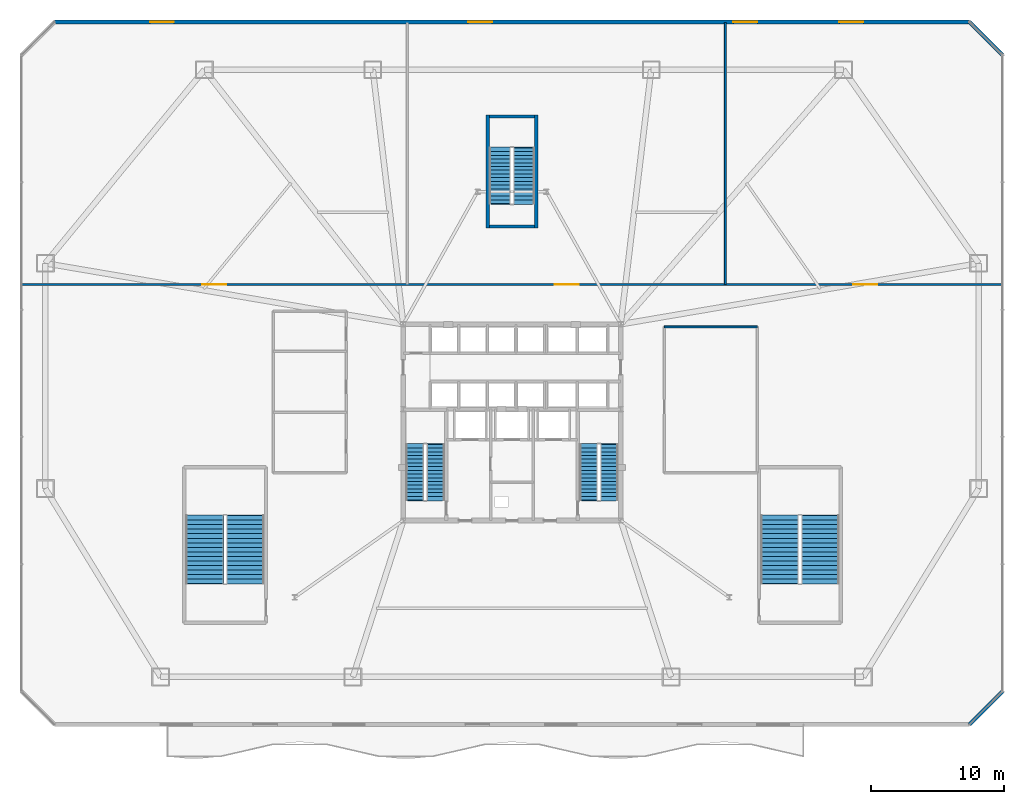
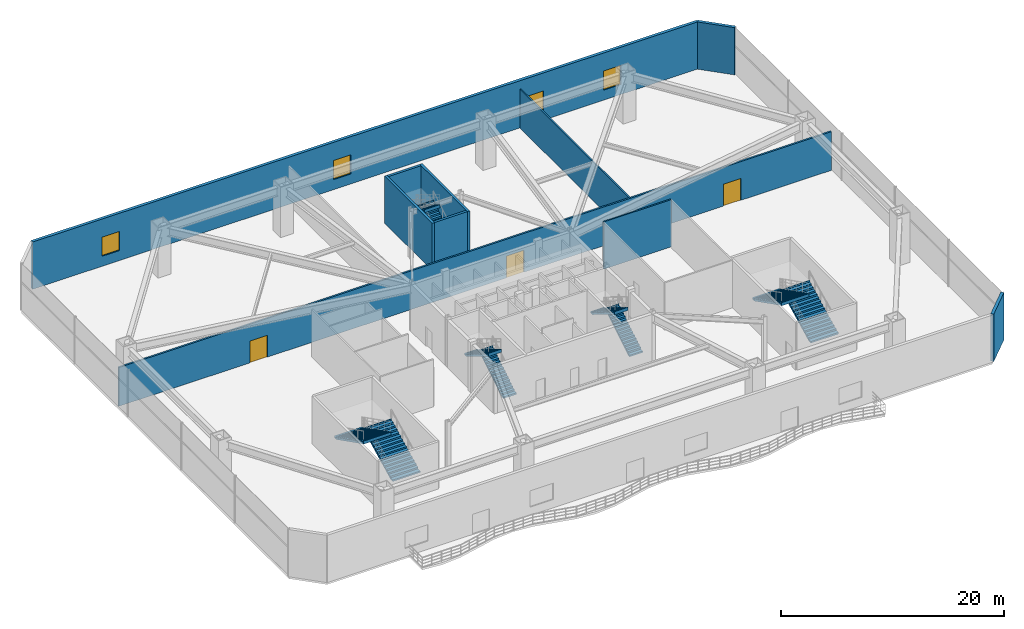
# One storey, part 15 of 20: 10 stair flights, 10 walls, 4 windows, 3 doors, 7 openings, 5 elements without a shape of their own.
"""IFC4 building model written with IfcOpenShell, lengths in metres."""

import ifcopenshell
import ifcopenshell.guid

model = None  # the IFC model being written
_history = None  # IfcOwnerHistory: only IFC2X3 demands one
_inside = {}  # id of a spatial element -> (the spatial element, [elements in it])
_under = {}  # id of a project, library or spatial element -> (it, [spatial elements below it])
_declared = {}  # id of a project -> (the project, [libraries it declares])
_typed = {}  # id of a type object -> (the type object, [elements of that type])
_made_of = {}  # id of a material, layer set ... -> (it, [elements and type objects made of it])


def new_model(schema):
    """Start an empty IFC model of exactly this schema.

    Asked for "IFC4X3", IfcOpenShell would pick the latest addendum, in which some entities
    have other attributes; the version numbers below select the first issue.
    IFC2X3 requires an IfcOwnerHistory on every rooted entity: one is made here for all.
    """
    global model, _history
    if schema == "IFC4X3":
        model = ifcopenshell.file(schema_version=(4, 3, 0, 0))
    else:
        model = ifcopenshell.file(schema=schema)
    _inside.clear()
    _under.clear()
    _declared.clear()
    _typed.clear()
    _made_of.clear()
    _history = None
    if model.schema == "IFC2X3":
        org = make("IfcOrganization", Name="unknown")
        user = make(
            "IfcPersonAndOrganization",
            ThePerson=make("IfcPerson", FamilyName="unknown"),
            TheOrganization=org,
        )
        app = make(
            "IfcApplication",
            ApplicationDeveloper=org,
            Version="unknown",
            ApplicationFullName="unknown",
            ApplicationIdentifier="unknown",
        )
        _history = make(
            "IfcOwnerHistory",
            OwningUser=user,
            OwningApplication=app,
            ChangeAction="ADDED",
            CreationDate=0,
        )
    return model


def make(cls, **values):
    """One entity of the class cls with the attributes given. An attribute that is None is left unset."""
    return model.create_entity(
        cls, **{name: value for name, value in values.items() if value is not None}
    )


def rooted(cls, **values):
    """An entity with a GlobalId (a new one), such as an element, a storey or a relation."""
    return make(cls, GlobalId=ifcopenshell.guid.new(), OwnerHistory=_history, **values)


def si_unit(unit_type, name, prefix=None):
    """IfcSIUnit, for example si_unit("LENGTHUNIT", "METRE", prefix="MILLI")."""
    return make("IfcSIUnit", UnitType=unit_type, Prefix=prefix, Name=name)


def assignment(units):
    """IfcUnitAssignment: the units of a project."""
    return None if units is None else make("IfcUnitAssignment", Units=units)


def point(xyz):
    """IfcCartesianPoint."""
    return None if xyz is None else make("IfcCartesianPoint", Coordinates=xyz)


def direction(xyz):
    """IfcDirection."""
    return None if xyz is None else make("IfcDirection", DirectionRatios=xyz)


def frame(location, z_axis=None, x_axis=None):
    """IfcAxis2Placement3D, a coordinate frame: its origin and axes. An axis left out is left unset."""
    return make(
        "IfcAxis2Placement3D",
        Location=point(location),
        Axis=direction(z_axis),
        RefDirection=direction(x_axis),
    )


def frame_2d(location, x_axis=None):
    """IfcAxis2Placement2D, a coordinate frame in the plane: its origin and x axis."""
    return make(
        "IfcAxis2Placement2D", Location=point(location), RefDirection=direction(x_axis)
    )


def origin():
    """The frame at (0, 0, 0) with its axes left unset."""
    return frame((0.0, 0.0, 0.0))


def place(relative_to, where):
    """IfcLocalPlacement: puts the frame where relative to a parent placement (None: the world)."""
    return make(
        "IfcLocalPlacement", PlacementRelTo=relative_to, RelativePlacement=where
    )


def context(
    kind, dimensions, precision=None, world=None, true_north=None, identifier=None
):
    """IfcGeometricRepresentationContext, for example the 3D "Model" context."""
    return make(
        "IfcGeometricRepresentationContext",
        ContextIdentifier=identifier,
        ContextType=kind,
        CoordinateSpaceDimension=dimensions,
        Precision=precision,
        WorldCoordinateSystem=world,
        TrueNorth=true_north,
    )


def subcontext(parent, identifier, kind, view, scale=None):
    """IfcGeometricRepresentationSubContext, for example "Body" below "Model"."""
    return make(
        "IfcGeometricRepresentationSubContext",
        ContextIdentifier=identifier,
        ContextType=kind,
        ParentContext=parent,
        TargetScale=scale,
        TargetView=view,
    )


def project(units=None, contexts=None):
    """IfcProject with its units and contexts."""
    return rooted(
        "IfcProject",
        Name="project",
        RepresentationContexts=contexts,
        UnitsInContext=assignment(units),
    )


def spatial(cls, under=None, at=None, **own):
    """A site, building, storey or space (cls), placed at a placement, below another one or the project."""
    s = rooted(cls, ObjectPlacement=at, **own)
    if under is not None:
        _under.setdefault(under.id(), (under, []))[1].append(s)
    return s


def polyline(points):
    """IfcPolyline through the points."""
    return make("IfcPolyline", Points=[point(p) for p in points])


def profile(cls, at=None, kind="AREA", **sizes):
    """A parametric profile (cls). Its sizes go by their IFC names, for example OverallWidth=200.0."""
    return make(cls, ProfileType=kind, Position=at, **sizes)


def rectangle(**sizes):
    """IfcRectangleProfileDef."""
    return profile("IfcRectangleProfileDef", **sizes)


def outline(outer, holes=None, kind="AREA"):
    """IfcArbitraryClosedProfileDef: a profile drawn as a closed curve; with holes, ...WithVoids."""
    if holes is None:
        return make("IfcArbitraryClosedProfileDef", ProfileType=kind, OuterCurve=outer)
    return make(
        "IfcArbitraryProfileDefWithVoids",
        ProfileType=kind,
        OuterCurve=outer,
        InnerCurves=holes,
    )


def extrude(swept, where, along, depth):
    """IfcExtrudedAreaSolid: the profile swept, set in the frame where, extruded along a direction by depth."""
    return make(
        "IfcExtrudedAreaSolid",
        SweptArea=swept,
        Position=where,
        ExtrudedDirection=direction(along),
        Depth=depth,
    )


def shape(context_of_items, identifier, shape_type, items):
    """IfcShapeRepresentation: the items that make up one representation, for example the "Body"."""
    return make(
        "IfcShapeRepresentation",
        ContextOfItems=context_of_items,
        RepresentationIdentifier=identifier,
        RepresentationType=shape_type,
        Items=items,
    )


def material(Name=None, Category=None):
    """IfcMaterial."""
    return make("IfcMaterial", Name=Name, Category=Category)


def layer(
    of_material, thickness, ventilated=None, Name=None, Category=None, Priority=None
):
    """IfcMaterialLayer: one layer of a wall or slab, of a material (None: an air gap)."""
    return make(
        "IfcMaterialLayer",
        Material=of_material,
        LayerThickness=thickness,
        IsVentilated=ventilated,
        Name=Name,
        Category=Category,
        Priority=Priority,
    )


def layer_set(layers, Name=None):
    """IfcMaterialLayerSet."""
    return make("IfcMaterialLayerSet", MaterialLayers=layers, LayerSetName=Name)


def made_of(thing, what):
    """Note that an element or type object is made of a material, layer set ...; save() writes the relation."""
    if what is not None:
        _made_of.setdefault(what.id(), (what, []))[1].append(thing)
    return thing


def type_object(cls, material=None, **own):
    """A type object (cls), such as IfcWallType, which elements share."""
    return made_of(rooted(cls, **own), material)


def element(
    cls,
    number,
    at=None,
    inside=None,
    cuts=None,
    type_object=None,
    material=None,
    context=None,
    identifier="Body",
    shape_type=None,
    held_by="IfcProductDefinitionShape",
    body=None,
    shapes=None,
    **own,
):
    """One element of the class cls, such as IfcWall. Its Tag is "e" and its number.

    at: its placement. inside: the storey or other place that contains it. cuts: it is an
    opening in that element (IfcRelVoidsElement). A single representation is given by context,
    identifier, shape_type and body (its items); several are given by shapes. held_by: the class
    of the entity that holds the representations. save() writes the other relations.
    """
    e = rooted(cls, Tag="e%d" % number, ObjectPlacement=at, **own)
    if body is not None:
        shapes = [shape(context, identifier, shape_type, body)]
    if shapes is not None:
        e.Representation = make(held_by, Representations=shapes)
    if inside is not None:
        _inside.setdefault(inside.id(), (inside, []))[1].append(e)
    if cuts is not None:
        rooted(
            "IfcRelVoidsElement", RelatingBuildingElement=cuts, RelatedOpeningElement=e
        )
    if type_object is not None:
        _typed.setdefault(type_object.id(), (type_object, []))[1].append(e)
    return made_of(e, material)


def fill(opening, filler):
    """IfcRelFillsElement: the door or window that sits in an opening."""
    return rooted(
        "IfcRelFillsElement",
        RelatingOpeningElement=opening,
        RelatedBuildingElement=filler,
    )


def aggregate(whole, parts):
    """IfcRelAggregates: a whole, such as a stair, and the parts it consists of."""
    return rooted("IfcRelAggregates", RelatingObject=whole, RelatedObjects=parts)


def save(model, path):
    """Write the relations noted so far, then the file.

    IfcRelAggregates (storeys below a building ...), IfcRelContainedInSpatialStructure (elements
    in a storey), IfcRelDefinesByType, IfcRelAssociatesMaterial and IfcRelDeclares: one each for
    every whole, place, type object, material and project.
    """
    for whole, parts in _under.values():
        aggregate(whole, parts)
    for where, things in _inside.values():
        rooted(
            "IfcRelContainedInSpatialStructure",
            RelatedElements=things,
            RelatingStructure=where,
        )
    for kind, things in _typed.values():
        rooted("IfcRelDefinesByType", RelatedObjects=things, RelatingType=kind)
    for what, things in _made_of.values():
        rooted("IfcRelAssociatesMaterial", RelatedObjects=things, RelatingMaterial=what)
    for by, libraries in _declared.values():
        rooted("IfcRelDeclares", RelatingContext=by, RelatedDefinitions=libraries)
    model.write(path)


model = new_model("IFC4")

# Units and contexts
model_context = context("Model", 3, precision=1e-05, world=origin(), true_north=direction((0.0, 1.0)))
body_context = subcontext(model_context, "Body", "Model", "MODEL_VIEW")
ifc_project = project(units=[si_unit("LENGTHUNIT", "METRE"), si_unit("AREAUNIT", "SQUARE_METRE"), si_unit("VOLUMEUNIT", "CUBIC_METRE"), si_unit("PLANEANGLEUNIT", "RADIAN"), si_unit("MASSUNIT", "GRAM", prefix="KILO")], contexts=[model_context])

# Site, building, storey
site_placement = place(None, origin())
site = spatial("IfcSite", under=ifc_project, at=site_placement, CompositionType="ELEMENT")
building_placement = place(site_placement, origin())
building = spatial("IfcBuilding", under=site, at=building_placement, Name="Varakhsha Concourse Tower", CompositionType="ELEMENT")
storey_placement = place(building_placement, frame((0.0, 0.0, 16.5)))
storey = spatial("IfcBuildingStorey", under=building, at=storey_placement, Name="L04", CompositionType="ELEMENT", Elevation=16.5)

# Walls
ifc_material_1 = material(Name="Concrete fc 45 MPa", Category="concrete")
ifc_layer_1 = layer(ifc_material_1, 0.300048828125, Name="WL-EXT-POD-300")
ifc_layer_set_1 = layer_set([ifc_layer_1], Name="Concrete fc 45 MPa")
wall_type_1 = type_object("IfcWallType", Name="WL-EXT-POD-300", PredefinedType="STANDARD", material=ifc_layer_set_1)
for number, where, z_axis, x_axis, name in (
    (1, (74.5, 1.0, 0.0), (0.0, 0.0, 1.0), (0.707106781187, 0.707106781187, 0.0), "L04 Podium Chamfer Wall 1"),
    (2, (77.0, 51.5, 0.0), (0.0, 0.0, 1.0), (-0.707106781187, 0.707106781187, 0.0), "L04 Podium Chamfer Wall 3"),
):
    element("IfcWall", number, at=place(storey_placement, frame(where, z_axis=z_axis, x_axis=x_axis)), inside=storey, type_object=wall_type_1, Name=name, PredefinedType="STANDARD", context=body_context, shape_type="SweptSolid", body=[
        extrude(rectangle(XDim=3.53564453125, YDim=0.300048828125, at=frame_2d((1.767822265625, 0.0))), origin(), (0.0, 0.0, 1.0), 5.179931640625),
    ])

# Wall, openings, windows
wall_1_placement = place(storey_placement, frame((74.5, 54.0, 0.0), z_axis=(0.0, 0.0, 1.0), x_axis=(-1.0, 0.0, 0.0)))
wall_1 = element("IfcWall", 3, at=wall_1_placement, inside=storey, type_object=wall_type_1, Name="L04 North Convention Hall Wall", PredefinedType="STANDARD", context=body_context, shape_type="SweptSolid", body=[
    extrude(rectangle(XDim=69.0, YDim=0.300048828125, at=frame_2d((34.5, 0.0))), origin(), (0.0, 0.0, 1.0), 5.179931640625),
])
opening_1_placement = place(wall_1_placement, frame((8.0, 0.0, 1.10009765625)))
opening_1 = element("IfcOpeningElement", 4, at=opening_1_placement, cuts=wall_1, Name="Opening W-01", PredefinedType="OPENING", context=body_context, shape_type="SweptSolid", body=[
    extrude(rectangle(XDim=1.800048828125, YDim=2.10009765625, at=frame_2d((0.89990234375, 1.050048828125))), frame((0.0, 0.159912109375, 0.0), z_axis=(0.0, -1.0, 0.0), x_axis=(1.0, 0.0, 0.0)), (0.0, 0.0, 1.0), 0.320068359375),
])
opening_2_placement = place(wall_1_placement, frame((16.0, 0.0, 1.10009765625)))
opening_2 = element("IfcOpeningElement", 5, at=opening_2_placement, cuts=wall_1, Name="Opening W-01", PredefinedType="OPENING", context=body_context, shape_type="SweptSolid", body=[
    extrude(rectangle(XDim=1.800048828125, YDim=2.10009765625, at=frame_2d((0.89990234375, 1.050048828125))), frame((0.0, 0.159912109375, 0.0), z_axis=(0.0, -1.0, 0.0), x_axis=(1.0, 0.0, 0.0)), (0.0, 0.0, 1.0), 0.320068359375),
])
opening_3_placement = place(wall_1_placement, frame((36.0, 0.0, 1.10009765625)))
opening_3 = element("IfcOpeningElement", 6, at=opening_3_placement, cuts=wall_1, Name="Opening W-01", PredefinedType="OPENING", context=body_context, shape_type="SweptSolid", body=[
    extrude(rectangle(XDim=1.800048828125, YDim=2.10009765625, at=frame_2d((0.89990234375, 1.050048828125))), frame((0.0, 0.159912109375, 0.0), z_axis=(0.0, -1.0, 0.0), x_axis=(1.0, 0.0, 0.0)), (0.0, 0.0, 1.0), 0.320068359375),
])
opening_4_placement = place(wall_1_placement, frame((60.0, 0.0, 1.10009765625)))
opening_4 = element("IfcOpeningElement", 7, at=opening_4_placement, cuts=wall_1, Name="Opening W-01", PredefinedType="OPENING", context=body_context, shape_type="SweptSolid", body=[
    extrude(rectangle(XDim=1.800048828125, YDim=2.10009765625, at=frame_2d((0.89990234375, 1.050048828125))), frame((0.0, 0.159912109375, 0.0), z_axis=(0.0, -1.0, 0.0), x_axis=(1.0, 0.0, 0.0)), (0.0, 0.0, 1.0), 0.320068359375),
])
ifc_material_2 = material(Name="Low-E Triple Insulating Glass IGU 44 mm", Category="glass")
window_type = type_object("IfcWindowType", Name="WN-PUNCH-1800", PartitioningType="SINGLE_PANEL", PredefinedType="WINDOW", material=ifc_material_2)
window_1_placement = place(opening_1_placement, origin())
window_1 = element("IfcWindow", 8, at=window_1_placement, inside=storey, type_object=window_type, Name="L04 Hall Acoustic Window 1", OverallHeight=2.10009765625, OverallWidth=1.800048828125, PartitioningType="SINGLE_PANEL", PredefinedType="WINDOW", context=body_context, shape_type="SweptSolid", body=[
    extrude(rectangle(XDim=1.800048828125, YDim=2.10009765625, at=frame_2d((0.89990234375, 1.050048828125))), frame((0.0, 0.030029296875, 0.0), z_axis=(0.0, -1.0, 0.0), x_axis=(1.0, 0.0, 0.0)), (0.0, 0.0, 1.0), 0.06005859375),
])
fill(opening_1, window_1)
window_2_placement = place(opening_2_placement, origin())
window_2 = element("IfcWindow", 9, at=window_2_placement, inside=storey, type_object=window_type, Name="L04 Hall Acoustic Window 2", OverallHeight=2.10009765625, OverallWidth=1.800048828125, PartitioningType="SINGLE_PANEL", PredefinedType="WINDOW", context=body_context, shape_type="SweptSolid", body=[
    extrude(rectangle(XDim=1.800048828125, YDim=2.10009765625, at=frame_2d((0.89990234375, 1.050048828125))), frame((0.0, 0.030029296875, 0.0), z_axis=(0.0, -1.0, 0.0), x_axis=(1.0, 0.0, 0.0)), (0.0, 0.0, 1.0), 0.06005859375),
])
fill(opening_2, window_2)
window_3_placement = place(opening_3_placement, origin())
window_3 = element("IfcWindow", 10, at=window_3_placement, inside=storey, type_object=window_type, Name="L04 Hall Acoustic Window 3", OverallHeight=2.10009765625, OverallWidth=1.800048828125, PartitioningType="SINGLE_PANEL", PredefinedType="WINDOW", context=body_context, shape_type="SweptSolid", body=[
    extrude(rectangle(XDim=1.800048828125, YDim=2.10009765625, at=frame_2d((0.89990234375, 1.050048828125))), frame((0.0, 0.030029296875, 0.0), z_axis=(0.0, -1.0, 0.0), x_axis=(1.0, 0.0, 0.0)), (0.0, 0.0, 1.0), 0.06005859375),
])
fill(opening_3, window_3)
window_4_placement = place(opening_4_placement, origin())
window_4 = element("IfcWindow", 11, at=window_4_placement, inside=storey, type_object=window_type, Name="L04 Hall Acoustic Window 4", OverallHeight=2.10009765625, OverallWidth=1.800048828125, PartitioningType="SINGLE_PANEL", PredefinedType="WINDOW", context=body_context, shape_type="SweptSolid", body=[
    extrude(rectangle(XDim=1.800048828125, YDim=2.10009765625, at=frame_2d((0.89990234375, 1.050048828125))), frame((0.0, 0.030029296875, 0.0), z_axis=(0.0, -1.0, 0.0), x_axis=(1.0, 0.0, 0.0)), (0.0, 0.0, 1.0), 0.06005859375),
])
fill(opening_4, window_4)

# Walls
ifc_material_3 = material(Name="Cold-Formed Steel ASTM A653 Grade 50 Acoustic Operable Partition", Category="steel")
ifc_layer_2 = layer(ifc_material_3, 0.14990234375, Name="WL-MOVABLE-150")
ifc_layer_set_2 = layer_set([ifc_layer_2], Name="Cold-Formed Steel ASTM A653 Grade 50 Acoustic Operable Partition")
wall_type_2 = type_object("IfcWallType", Name="WL-MOVABLE-150", PredefinedType="MOVABLE", material=ifc_layer_set_2)
wall_2_placement = place(storey_placement, frame((56.10009765625, 34.199951171875, 0.0), z_axis=(0.0, 0.0, 1.0), x_axis=(0.0, 1.0, 0.0)))
element("IfcWall", 12, at=wall_2_placement, inside=storey, type_object=wall_type_2, Name="L04 Wall L04W-MOV-2", PredefinedType="MOVABLE", context=body_context, shape_type="SweptSolid", body=[
    extrude(rectangle(XDim=19.760009765625, YDim=0.14990234375, at=frame_2d((9.8798828125, 0.0))), origin(), (0.0, 0.0, 1.0), 4.242919921875),
])
ifc_material_4 = material(Name="Fire-Rated Type X Gypsum Partition Assembly", Category="gypsum")
ifc_layer_3 = layer(ifc_material_4, 0.14990234375, Name="WL-PART-150")
ifc_layer_set_3 = layer_set([ifc_layer_3], Name="Fire-Rated Type X Gypsum Partition Assembly")
wall_type_3 = type_object("IfcWallType", Name="WL-PART-150", PredefinedType="PARTITIONING", material=ifc_layer_set_3)
wall_3_placement = place(storey_placement, frame((51.5, 31.0, 0.0), z_axis=(0.0, 0.0, 1.0), x_axis=(1.0, 0.0, 0.0)))
element("IfcWall", 13, at=wall_3_placement, inside=storey, type_object=wall_type_3, Name="L04 Wall L04W-SUPN", PredefinedType="PARTITIONING", context=body_context, shape_type="SweptSolid", body=[
    extrude(rectangle(XDim=7.0, YDim=0.14990234375, at=frame_2d((3.5, 0.0))), origin(), (0.0, 0.0, 1.0), 5.179931640625),
])

# Wall, openings, doors
ifc_layer_4 = layer(ifc_material_4, 0.179931640625, Name="WL-PART-180")
ifc_layer_set_4 = layer_set([ifc_layer_4], Name="Fire-Rated Type X Gypsum Partition Assembly")
wall_type_4 = type_object("IfcWallType", Name="WL-PART-180", PredefinedType="PARTITIONING", material=ifc_layer_set_4)
wall_4_placement = place(storey_placement, frame((3.0400390625, 34.199951171875, 0.0), z_axis=(0.0, 0.0, 1.0), x_axis=(1.0, 0.0, 0.0)))
wall_4 = element("IfcWall", 14, at=wall_4_placement, inside=storey, type_object=wall_type_4, Name="L04 Wall L04W-HALL-S", PredefinedType="PARTITIONING", context=body_context, shape_type="SweptSolid", body=[
    extrude(rectangle(XDim=73.919921875, YDim=0.179931640625, at=frame_2d((36.9599609375, 0.0))), origin(), (0.0, 0.0, 1.0), 4.242919921875),
])
opening_5_placement = place(wall_4_placement, frame((13.60009765625, 0.0, 0.0)))
opening_5 = element("IfcOpeningElement", 15, at=opening_5_placement, cuts=wall_4, Name="Opening DD-01", PredefinedType="OPENING", context=body_context, shape_type="SweptSolid", body=[
    extrude(rectangle(XDim=1.800048828125, YDim=2.39990234375, at=frame_2d((0.89990234375, 1.199951171875))), frame((0.0, 0.099853515625, 0.0), z_axis=(0.0, -1.0, 0.0), x_axis=(1.0, 0.0, 0.0)), (0.0, 0.0, 1.0), 0.199951171875),
])
opening_6_placement = place(wall_4_placement, frame((40.199951171875, 0.0, 0.0)))
opening_6 = element("IfcOpeningElement", 16, at=opening_6_placement, cuts=wall_4, Name="Opening DD-01", PredefinedType="OPENING", context=body_context, shape_type="SweptSolid", body=[
    extrude(rectangle(XDim=1.800048828125, YDim=2.39990234375, at=frame_2d((0.89990234375, 1.199951171875))), frame((0.0, 0.099853515625, 0.0), z_axis=(0.0, -1.0, 0.0), x_axis=(1.0, 0.0, 0.0)), (0.0, 0.0, 1.0), 0.199951171875),
])
opening_7_placement = place(wall_4_placement, frame((62.699951171875, 0.0, 0.0)))
opening_7 = element("IfcOpeningElement", 17, at=opening_7_placement, cuts=wall_4, Name="Opening DD-01", PredefinedType="OPENING", context=body_context, shape_type="SweptSolid", body=[
    extrude(rectangle(XDim=1.800048828125, YDim=2.39990234375, at=frame_2d((0.89990234375, 1.199951171875))), frame((0.0, 0.099853515625, 0.0), z_axis=(0.0, -1.0, 0.0), x_axis=(1.0, 0.0, 0.0)), (0.0, 0.0, 1.0), 0.199951171875),
])
ifc_material_5 = material(Name="Anodised Bronze Architectural Aluminium AA 6063-T6", Category="aluminium")
door_type = type_object("IfcDoorType", Name="DR-DBL-1800", OperationType="DOUBLE_DOOR_SINGLE_SWING", PredefinedType="DOOR", material=ifc_material_5)
door_1_placement = place(opening_5_placement, origin())
door_1 = element("IfcDoor", 18, at=door_1_placement, inside=storey, type_object=door_type, Name="L04 Grand Samarkand Ballroom West Double Entry Doors", OperationType="DOUBLE_DOOR_SINGLE_SWING", OverallHeight=2.39990234375, OverallWidth=1.800048828125, PredefinedType="DOOR", context=body_context, shape_type="SweptSolid", body=[
    extrude(rectangle(XDim=1.800048828125, YDim=2.39990234375, at=frame_2d((0.89990234375, 1.199951171875))), frame((0.0, 0.02490234375, 0.0), z_axis=(0.0, -1.0, 0.0), x_axis=(1.0, 0.0, 0.0)), (0.0, 0.0, 1.0), 0.050048828125),
])
fill(opening_5, door_1)
door_2_placement = place(opening_6_placement, origin())
door_2 = element("IfcDoor", 19, at=door_2_placement, inside=storey, type_object=door_type, Name="L04 Grand Samarkand Ballroom East Double Entry Doors", OperationType="DOUBLE_DOOR_SINGLE_SWING", OverallHeight=2.39990234375, OverallWidth=1.800048828125, PredefinedType="DOOR", context=body_context, shape_type="SweptSolid", body=[
    extrude(rectangle(XDim=1.800048828125, YDim=2.39990234375, at=frame_2d((0.89990234375, 1.199951171875))), frame((0.0, 0.02490234375, 0.0), z_axis=(0.0, -1.0, 0.0), x_axis=(1.0, 0.0, 0.0)), (0.0, 0.0, 1.0), 0.050048828125),
])
fill(opening_6, door_2)
door_3_placement = place(opening_7_placement, origin())
door_3 = element("IfcDoor", 20, at=door_3_placement, inside=storey, type_object=door_type, Name="L04 Commercial Banquet Kitchen Double Entry Doors", OperationType="DOUBLE_DOOR_SINGLE_SWING", OverallHeight=2.39990234375, OverallWidth=1.800048828125, PredefinedType="DOOR", context=body_context, shape_type="SweptSolid", body=[
    extrude(rectangle(XDim=1.800048828125, YDim=2.39990234375, at=frame_2d((0.89990234375, 1.199951171875))), frame((0.0, 0.02490234375, 0.0), z_axis=(0.0, -1.0, 0.0), x_axis=(1.0, 0.0, 0.0)), (0.0, 0.0, 1.0), 0.050048828125),
])
fill(opening_7, door_3)

# Walls
ifc_layer_5 = layer(ifc_material_1, 0.25, Name="WL-STAIR-250")
ifc_layer_set_5 = layer_set([ifc_layer_5], Name="Concrete fc 45 MPa")
wall_type_5 = type_object("IfcWallType", Name="WL-STAIR-250", PredefinedType="SHEAR", material=ifc_layer_set_5)
for number, where, z_axis, x_axis, name in (
    (21, (38.175048828125, 38.449951171875, 0.0), (0.0, 0.0, 1.0), (0.0, 1.0, 0.0), "L04 Wall SWALL-ST5-W-L04"),
    (22, (41.824951171875, 38.449951171875, 0.0), (0.0, 0.0, 1.0), (0.0, 1.0, 0.0), "L04 Wall SWALL-ST5-E-L04"),
):
    element("IfcWall", number, at=place(storey_placement, frame(where, z_axis=z_axis, x_axis=x_axis)), inside=storey, type_object=wall_type_5, Name=name, PredefinedType="SHEAR", context=body_context, shape_type="SweptSolid", body=[
        extrude(rectangle(XDim=8.550048828125, YDim=0.25, at=frame_2d((4.27490234375, 0.0))), origin(), (0.0, 0.0, 1.0), 5.179931640625),
    ])
for number, where, z_axis, x_axis, name in (
    (23, (38.300048828125, 38.574951171875, 0.0), (0.0, 0.0, 1.0), (1.0, 0.0, 0.0), "L04 Wall SWALL-ST5-S-L04"),
    (24, (38.300048828125, 46.875, 0.0), (0.0, 0.0, 1.0), (1.0, 0.0, 0.0), "L04 Wall SWALL-ST5-N-L04"),
):
    element("IfcWall", number, at=place(storey_placement, frame(where, z_axis=z_axis, x_axis=x_axis)), inside=storey, type_object=wall_type_5, Name=name, PredefinedType="SHEAR", context=body_context, shape_type="SweptSolid", body=[
        extrude(rectangle(XDim=3.39990234375, YDim=0.25, at=frame_2d((1.699951171875, 0.0))), origin(), (0.0, 0.0, 1.0), 5.179931640625),
    ])

# Stair, stair flights
stair_type_1 = type_object("IfcStairType", Name="ST-DOGLEG-1360", PredefinedType="HALF_TURN_STAIR", material=ifc_material_1)
stair_1_placement = place(storey_placement, origin())
stair_1 = element("IfcStair", 25, at=stair_1_placement, inside=storey, type_object=stair_type_1, Name="L04 Protected Exit Stair ST1", PredefinedType="HALF_TURN_STAIR")
stair_flight_type_1 = type_object("IfcStairFlightType", Name="STF-1360-R1719", PredefinedType="STRAIGHT", material=ifc_material_1)
stair_flight_1_placement = place(storey_placement, frame((34.239990234375, 17.93994140625, 0.0), z_axis=(0.0, 0.0, 1.0), x_axis=(0.0, 1.0, 0.0)))
stair_flight_1 = element("IfcStairFlight", 26, at=stair_flight_1_placement, type_object=stair_flight_type_1, Name="ST1 flight 1", NumberOfRisers=16, NumberOfTreads=15, PredefinedType="STRAIGHT", RiserHeight=0.171875, TreadLength=0.28, context=body_context, shape_type="SweptSolid", body=[
    extrude(outline(polyline([(-0.06005859375, 0.0), (-0.06005859375, 0.171875), (0.0, 0.171875), (0.280029296875, 0.171875), (0.280029296875, 0.34375), (0.56005859375, 0.34375), (0.56005859375, 0.515625), (0.840087890625, 0.515625), (0.840087890625, 0.6875), (1.1201171875, 0.6875), (1.1201171875, 0.859375), (1.39990234375, 0.859375), (1.39990234375, 1.03125), (1.679931640625, 1.03125), (1.679931640625, 1.203125), (1.9599609375, 1.203125), (1.9599609375, 1.375), (2.239990234375, 1.375), (2.239990234375, 1.546875), (2.52001953125, 1.546875), (2.52001953125, 1.71875), (2.800048828125, 1.71875), (2.800048828125, 1.890625), (3.080078125, 1.890625), (3.080078125, 2.0625), (3.360107421875, 2.0625), (3.360107421875, 2.234375), (3.639892578125, 2.234375), (3.639892578125, 2.40625), (3.919921875, 2.40625), (3.919921875, 2.578125), (4.199951171875, 2.578125), (4.199951171875, 2.75), (4.260009765625, 2.75), (4.260009765625, 2.40234375), (4.199951171875, 2.40234375), (0.28662109375, 0.0), (-0.06005859375, 0.0)])), frame((0.0, 0.68017578125, 0.0), z_axis=(0.0, -1.0, 0.0), x_axis=(1.0, 0.0, 0.0)), (0.0, 0.0, 1.0), 1.360107421875),
])
stair_flight_2_placement = place(storey_placement, frame((32.679931640625, 22.139892578125, 2.75), z_axis=(0.0, 0.0, 1.0), x_axis=(0.0, -1.0, 0.0)))
stair_flight_2 = element("IfcStairFlight", 27, at=stair_flight_2_placement, type_object=stair_flight_type_1, Name="ST1 flight 2", NumberOfRisers=16, NumberOfTreads=15, PredefinedType="STRAIGHT", RiserHeight=0.171875, TreadLength=0.28, context=body_context, shape_type="SweptSolid", body=[
    extrude(outline(polyline([(-0.06005859375, 0.0), (-0.06005859375, 0.171875), (0.0, 0.171875), (0.280029296875, 0.171875), (0.280029296875, 0.34375), (0.56005859375, 0.34375), (0.56005859375, 0.515625), (0.840087890625, 0.515625), (0.840087890625, 0.6875), (1.1201171875, 0.6875), (1.1201171875, 0.859375), (1.39990234375, 0.859375), (1.39990234375, 1.03125), (1.679931640625, 1.03125), (1.679931640625, 1.203125), (1.9599609375, 1.203125), (1.9599609375, 1.375), (2.239990234375, 1.375), (2.239990234375, 1.546875), (2.52001953125, 1.546875), (2.52001953125, 1.71875), (2.800048828125, 1.71875), (2.800048828125, 1.890625), (3.080078125, 1.890625), (3.080078125, 2.0625), (3.360107421875, 2.0625), (3.360107421875, 2.234375), (3.639892578125, 2.234375), (3.639892578125, 2.40625), (3.919921875, 2.40625), (3.919921875, 2.578125), (4.199951171875, 2.578125), (4.199951171875, 2.75), (4.260009765625, 2.75), (4.260009765625, 2.40234375), (4.199951171875, 2.40234375), (0.28662109375, 0.0), (-0.06005859375, 0.0)])), frame((0.0, 0.68017578125, 0.0), z_axis=(0.0, -1.0, 0.0), x_axis=(1.0, 0.0, 0.0)), (0.0, 0.0, 1.0), 1.360107421875),
])
aggregate(stair_1, [stair_flight_1, stair_flight_2])

stair_2_placement = place(storey_placement, origin())
stair_2 = element("IfcStair", 28, at=stair_2_placement, inside=storey, type_object=stair_type_1, Name="L04 Protected Exit Stair ST2", PredefinedType="HALF_TURN_STAIR")
stair_flight_3_placement = place(storey_placement, frame((47.340087890625, 17.93994140625, 0.0), z_axis=(0.0, 0.0, 1.0), x_axis=(0.0, 1.0, 0.0)))
stair_flight_3 = element("IfcStairFlight", 29, at=stair_flight_3_placement, type_object=stair_flight_type_1, Name="ST2 flight 1", NumberOfRisers=16, NumberOfTreads=15, PredefinedType="STRAIGHT", RiserHeight=0.171875, TreadLength=0.28, context=body_context, shape_type="SweptSolid", body=[
    extrude(outline(polyline([(-0.06005859375, 0.0), (-0.06005859375, 0.171875), (0.0, 0.171875), (0.280029296875, 0.171875), (0.280029296875, 0.34375), (0.56005859375, 0.34375), (0.56005859375, 0.515625), (0.840087890625, 0.515625), (0.840087890625, 0.6875), (1.1201171875, 0.6875), (1.1201171875, 0.859375), (1.39990234375, 0.859375), (1.39990234375, 1.03125), (1.679931640625, 1.03125), (1.679931640625, 1.203125), (1.9599609375, 1.203125), (1.9599609375, 1.375), (2.239990234375, 1.375), (2.239990234375, 1.546875), (2.52001953125, 1.546875), (2.52001953125, 1.71875), (2.800048828125, 1.71875), (2.800048828125, 1.890625), (3.080078125, 1.890625), (3.080078125, 2.0625), (3.360107421875, 2.0625), (3.360107421875, 2.234375), (3.639892578125, 2.234375), (3.639892578125, 2.40625), (3.919921875, 2.40625), (3.919921875, 2.578125), (4.199951171875, 2.578125), (4.199951171875, 2.75), (4.260009765625, 2.75), (4.260009765625, 2.40234375), (4.199951171875, 2.40234375), (0.28662109375, 0.0), (-0.06005859375, 0.0)])), frame((0.0, 0.68017578125, 0.0), z_axis=(0.0, -1.0, 0.0), x_axis=(1.0, 0.0, 0.0)), (0.0, 0.0, 1.0), 1.360107421875),
])
stair_flight_4_placement = place(storey_placement, frame((45.780029296875, 22.139892578125, 2.75), z_axis=(0.0, 0.0, 1.0), x_axis=(0.0, -1.0, 0.0)))
stair_flight_4 = element("IfcStairFlight", 30, at=stair_flight_4_placement, type_object=stair_flight_type_1, Name="ST2 flight 2", NumberOfRisers=16, NumberOfTreads=15, PredefinedType="STRAIGHT", RiserHeight=0.171875, TreadLength=0.28, context=body_context, shape_type="SweptSolid", body=[
    extrude(outline(polyline([(-0.06005859375, 0.0), (-0.06005859375, 0.171875), (0.0, 0.171875), (0.280029296875, 0.171875), (0.280029296875, 0.34375), (0.56005859375, 0.34375), (0.56005859375, 0.515625), (0.840087890625, 0.515625), (0.840087890625, 0.6875), (1.1201171875, 0.6875), (1.1201171875, 0.859375), (1.39990234375, 0.859375), (1.39990234375, 1.03125), (1.679931640625, 1.03125), (1.679931640625, 1.203125), (1.9599609375, 1.203125), (1.9599609375, 1.375), (2.239990234375, 1.375), (2.239990234375, 1.546875), (2.52001953125, 1.546875), (2.52001953125, 1.71875), (2.800048828125, 1.71875), (2.800048828125, 1.890625), (3.080078125, 1.890625), (3.080078125, 2.0625), (3.360107421875, 2.0625), (3.360107421875, 2.234375), (3.639892578125, 2.234375), (3.639892578125, 2.40625), (3.919921875, 2.40625), (3.919921875, 2.578125), (4.199951171875, 2.578125), (4.199951171875, 2.75), (4.260009765625, 2.75), (4.260009765625, 2.40234375), (4.199951171875, 2.40234375), (0.28662109375, 0.0), (-0.06005859375, 0.0)])), frame((0.0, 0.68017578125, 0.0), z_axis=(0.0, -1.0, 0.0), x_axis=(1.0, 0.0, 0.0)), (0.0, 0.0, 1.0), 1.360107421875),
])
aggregate(stair_2, [stair_flight_3, stair_flight_4])

stair_type_2 = type_object("IfcStairType", Name="ST-DOGLEG-1600", PredefinedType="HALF_TURN_STAIR", material=ifc_material_1)
stair_3_placement = place(storey_placement, origin())
stair_3 = element("IfcStair", 31, at=stair_3_placement, inside=storey, type_object=stair_type_2, Name="L04 Protected Exit Stair ST5", PredefinedType="HALF_TURN_STAIR")
stair_flight_type_2 = type_object("IfcStairFlightType", Name="STF-1600-R1719", PredefinedType="STRAIGHT", material=ifc_material_1)
stair_flight_5_placement = place(storey_placement, frame((40.89990234375, 40.300048828125, 0.0), z_axis=(0.0, 0.0, 1.0), x_axis=(0.0, 1.0, 0.0)))
stair_flight_5 = element("IfcStairFlight", 32, at=stair_flight_5_placement, type_object=stair_flight_type_2, Name="ST5 flight 1", NumberOfRisers=16, NumberOfTreads=15, PredefinedType="STRAIGHT", RiserHeight=0.171875, TreadLength=0.28, context=body_context, shape_type="SweptSolid", body=[
    extrude(outline(polyline([(-0.06005859375, 0.0), (-0.06005859375, 0.171875), (0.0, 0.171875), (0.280029296875, 0.171875), (0.280029296875, 0.34375), (0.56005859375, 0.34375), (0.56005859375, 0.515625), (0.840087890625, 0.515625), (0.840087890625, 0.6875), (1.1201171875, 0.6875), (1.1201171875, 0.859375), (1.39990234375, 0.859375), (1.39990234375, 1.03125), (1.679931640625, 1.03125), (1.679931640625, 1.203125), (1.9599609375, 1.203125), (1.9599609375, 1.375), (2.239990234375, 1.375), (2.239990234375, 1.546875), (2.52001953125, 1.546875), (2.52001953125, 1.71875), (2.800048828125, 1.71875), (2.800048828125, 1.890625), (3.080078125, 1.890625), (3.080078125, 2.0625), (3.360107421875, 2.0625), (3.360107421875, 2.234375), (3.639892578125, 2.234375), (3.639892578125, 2.40625), (3.919921875, 2.40625), (3.919921875, 2.578125), (4.199951171875, 2.578125), (4.199951171875, 2.75), (4.260009765625, 2.75), (4.260009765625, 2.40234375), (4.199951171875, 2.40234375), (0.28662109375, 0.0), (-0.06005859375, 0.0)])), frame((0.0, 0.800048828125, 0.0), z_axis=(0.0, -1.0, 0.0), x_axis=(1.0, 0.0, 0.0)), (0.0, 0.0, 1.0), 1.60009765625),
])
stair_flight_6_placement = place(storey_placement, frame((39.10009765625, 44.5, 2.75), z_axis=(0.0, 0.0, 1.0), x_axis=(0.0, -1.0, 0.0)))
stair_flight_6 = element("IfcStairFlight", 33, at=stair_flight_6_placement, type_object=stair_flight_type_2, Name="ST5 flight 2", NumberOfRisers=16, NumberOfTreads=15, PredefinedType="STRAIGHT", RiserHeight=0.171875, TreadLength=0.28, context=body_context, shape_type="SweptSolid", body=[
    extrude(outline(polyline([(-0.06005859375, 0.0), (-0.06005859375, 0.171875), (0.0, 0.171875), (0.280029296875, 0.171875), (0.280029296875, 0.34375), (0.56005859375, 0.34375), (0.56005859375, 0.515625), (0.840087890625, 0.515625), (0.840087890625, 0.6875), (1.1201171875, 0.6875), (1.1201171875, 0.859375), (1.39990234375, 0.859375), (1.39990234375, 1.03125), (1.679931640625, 1.03125), (1.679931640625, 1.203125), (1.9599609375, 1.203125), (1.9599609375, 1.375), (2.239990234375, 1.375), (2.239990234375, 1.546875), (2.52001953125, 1.546875), (2.52001953125, 1.71875), (2.800048828125, 1.71875), (2.800048828125, 1.890625), (3.080078125, 1.890625), (3.080078125, 2.0625), (3.360107421875, 2.0625), (3.360107421875, 2.234375), (3.639892578125, 2.234375), (3.639892578125, 2.40625), (3.919921875, 2.40625), (3.919921875, 2.578125), (4.199951171875, 2.578125), (4.199951171875, 2.75), (4.260009765625, 2.75), (4.260009765625, 2.40234375), (4.199951171875, 2.40234375), (0.28662109375, 0.0), (-0.06005859375, 0.0)])), frame((0.0, 0.800048828125, 0.0), z_axis=(0.0, -1.0, 0.0), x_axis=(1.0, 0.0, 0.0)), (0.0, 0.0, 1.0), 1.60009765625),
])
aggregate(stair_3, [stair_flight_5, stair_flight_6])

stair_type_3 = type_object("IfcStairType", Name="ST-DOGLEG-2860", PredefinedType="HALF_TURN_STAIR", material=ifc_material_1)
stair_4_placement = place(storey_placement, origin())
stair_4 = element("IfcStair", 34, at=stair_4_placement, inside=storey, type_object=stair_type_3, Name="L04 Protected Exit Stair ST3", PredefinedType="HALF_TURN_STAIR")
stair_flight_type_3 = type_object("IfcStairFlightType", Name="STF-2860-R1719", PredefinedType="STRAIGHT", material=ifc_material_1)
stair_flight_7_placement = place(storey_placement, frame((19.889892578125, 11.659912109375, 0.0), z_axis=(0.0, 0.0, 1.0), x_axis=(0.0, 1.0, 0.0)))
stair_flight_7 = element("IfcStairFlight", 35, at=stair_flight_7_placement, type_object=stair_flight_type_3, Name="ST3 flight 1", NumberOfRisers=16, NumberOfTreads=15, PredefinedType="STRAIGHT", RiserHeight=0.171875, TreadLength=0.34, context=body_context, shape_type="SweptSolid", body=[
    extrude(outline(polyline([(-0.06005859375, 0.0), (-0.06005859375, 0.171875), (0.0, 0.171875), (0.340087890625, 0.171875), (0.340087890625, 0.34375), (0.679931640625, 0.34375), (0.679931640625, 0.515625), (1.02001953125, 0.515625), (1.02001953125, 0.6875), (1.360107421875, 0.6875), (1.360107421875, 0.859375), (1.699951171875, 0.859375), (1.699951171875, 1.03125), (2.0400390625, 1.03125), (2.0400390625, 1.203125), (2.3798828125, 1.203125), (2.3798828125, 1.375), (2.719970703125, 1.375), (2.719970703125, 1.546875), (3.06005859375, 1.546875), (3.06005859375, 1.71875), (3.39990234375, 1.71875), (3.39990234375, 1.890625), (3.739990234375, 1.890625), (3.739990234375, 2.0625), (4.080078125, 2.0625), (4.080078125, 2.234375), (4.419921875, 2.234375), (4.419921875, 2.40625), (4.760009765625, 2.40625), (4.760009765625, 2.578125), (5.10009765625, 2.578125), (5.10009765625, 2.75), (5.159912109375, 2.75), (5.159912109375, 2.41015625), (5.10009765625, 2.41015625), (0.332275390625, 0.0), (-0.06005859375, 0.0)])), frame((0.0, 1.43017578125, 0.0), z_axis=(0.0, -1.0, 0.0), x_axis=(1.0, 0.0, 0.0)), (0.0, 0.0, 1.0), 2.860107421875),
])
stair_flight_8_placement = place(storey_placement, frame((16.830078125, 16.760009765625, 2.75), z_axis=(0.0, 0.0, 1.0), x_axis=(0.0, -1.0, 0.0)))
stair_flight_8 = element("IfcStairFlight", 36, at=stair_flight_8_placement, type_object=stair_flight_type_3, Name="ST3 flight 2", NumberOfRisers=16, NumberOfTreads=15, PredefinedType="STRAIGHT", RiserHeight=0.171875, TreadLength=0.34, context=body_context, shape_type="SweptSolid", body=[
    extrude(outline(polyline([(-0.06005859375, 0.0), (-0.06005859375, 0.171875), (0.0, 0.171875), (0.340087890625, 0.171875), (0.340087890625, 0.34375), (0.679931640625, 0.34375), (0.679931640625, 0.515625), (1.02001953125, 0.515625), (1.02001953125, 0.6875), (1.360107421875, 0.6875), (1.360107421875, 0.859375), (1.699951171875, 0.859375), (1.699951171875, 1.03125), (2.0400390625, 1.03125), (2.0400390625, 1.203125), (2.3798828125, 1.203125), (2.3798828125, 1.375), (2.719970703125, 1.375), (2.719970703125, 1.546875), (3.06005859375, 1.546875), (3.06005859375, 1.71875), (3.39990234375, 1.71875), (3.39990234375, 1.890625), (3.739990234375, 1.890625), (3.739990234375, 2.0625), (4.080078125, 2.0625), (4.080078125, 2.234375), (4.419921875, 2.234375), (4.419921875, 2.40625), (4.760009765625, 2.40625), (4.760009765625, 2.578125), (5.10009765625, 2.578125), (5.10009765625, 2.75), (5.159912109375, 2.75), (5.159912109375, 2.41015625), (5.10009765625, 2.41015625), (0.332275390625, 0.0), (-0.06005859375, 0.0)])), frame((0.0, 1.43017578125, 0.0), z_axis=(0.0, -1.0, 0.0), x_axis=(1.0, 0.0, 0.0)), (0.0, 0.0, 1.0), 2.860107421875),
])
aggregate(stair_4, [stair_flight_7, stair_flight_8])

stair_5_placement = place(storey_placement, origin())
stair_5 = element("IfcStair", 37, at=stair_5_placement, inside=storey, type_object=stair_type_3, Name="L04 Protected Exit Stair ST4", PredefinedType="HALF_TURN_STAIR")
stair_flight_9_placement = place(storey_placement, frame((63.25, 11.659912109375, 0.0), z_axis=(0.0, 0.0, 1.0), x_axis=(0.0, 1.0, 0.0)))
stair_flight_9 = element("IfcStairFlight", 38, at=stair_flight_9_placement, type_object=stair_flight_type_3, Name="ST4 flight 1", NumberOfRisers=16, NumberOfTreads=15, PredefinedType="STRAIGHT", RiserHeight=0.171875, TreadLength=0.34, context=body_context, shape_type="SweptSolid", body=[
    extrude(outline(polyline([(-0.06005859375, 0.0), (-0.06005859375, 0.171875), (0.0, 0.171875), (0.340087890625, 0.171875), (0.340087890625, 0.34375), (0.679931640625, 0.34375), (0.679931640625, 0.515625), (1.02001953125, 0.515625), (1.02001953125, 0.6875), (1.360107421875, 0.6875), (1.360107421875, 0.859375), (1.699951171875, 0.859375), (1.699951171875, 1.03125), (2.0400390625, 1.03125), (2.0400390625, 1.203125), (2.3798828125, 1.203125), (2.3798828125, 1.375), (2.719970703125, 1.375), (2.719970703125, 1.546875), (3.06005859375, 1.546875), (3.06005859375, 1.71875), (3.39990234375, 1.71875), (3.39990234375, 1.890625), (3.739990234375, 1.890625), (3.739990234375, 2.0625), (4.080078125, 2.0625), (4.080078125, 2.234375), (4.419921875, 2.234375), (4.419921875, 2.40625), (4.760009765625, 2.40625), (4.760009765625, 2.578125), (5.10009765625, 2.578125), (5.10009765625, 2.75), (5.159912109375, 2.75), (5.159912109375, 2.41015625), (5.10009765625, 2.41015625), (0.332275390625, 0.0), (-0.06005859375, 0.0)])), frame((0.0, 1.43017578125, 0.0), z_axis=(0.0, -1.0, 0.0), x_axis=(1.0, 0.0, 0.0)), (0.0, 0.0, 1.0), 2.860107421875),
])
stair_flight_10_placement = place(storey_placement, frame((60.18994140625, 16.760009765625, 2.75), z_axis=(0.0, 0.0, 1.0), x_axis=(0.0, -1.0, 0.0)))
stair_flight_10 = element("IfcStairFlight", 39, at=stair_flight_10_placement, type_object=stair_flight_type_3, Name="ST4 flight 2", NumberOfRisers=16, NumberOfTreads=15, PredefinedType="STRAIGHT", RiserHeight=0.171875, TreadLength=0.34, context=body_context, shape_type="SweptSolid", body=[
    extrude(outline(polyline([(-0.06005859375, 0.0), (-0.06005859375, 0.171875), (0.0, 0.171875), (0.340087890625, 0.171875), (0.340087890625, 0.34375), (0.679931640625, 0.34375), (0.679931640625, 0.515625), (1.02001953125, 0.515625), (1.02001953125, 0.6875), (1.360107421875, 0.6875), (1.360107421875, 0.859375), (1.699951171875, 0.859375), (1.699951171875, 1.03125), (2.0400390625, 1.03125), (2.0400390625, 1.203125), (2.3798828125, 1.203125), (2.3798828125, 1.375), (2.719970703125, 1.375), (2.719970703125, 1.546875), (3.06005859375, 1.546875), (3.06005859375, 1.71875), (3.39990234375, 1.71875), (3.39990234375, 1.890625), (3.739990234375, 1.890625), (3.739990234375, 2.0625), (4.080078125, 2.0625), (4.080078125, 2.234375), (4.419921875, 2.234375), (4.419921875, 2.40625), (4.760009765625, 2.40625), (4.760009765625, 2.578125), (5.10009765625, 2.578125), (5.10009765625, 2.75), (5.159912109375, 2.75), (5.159912109375, 2.41015625), (5.10009765625, 2.41015625), (0.332275390625, 0.0), (-0.06005859375, 0.0)])), frame((0.0, 1.43017578125, 0.0), z_axis=(0.0, -1.0, 0.0), x_axis=(1.0, 0.0, 0.0)), (0.0, 0.0, 1.0), 2.860107421875),
])
aggregate(stair_5, [stair_flight_9, stair_flight_10])

save(model, "model.ifc")
